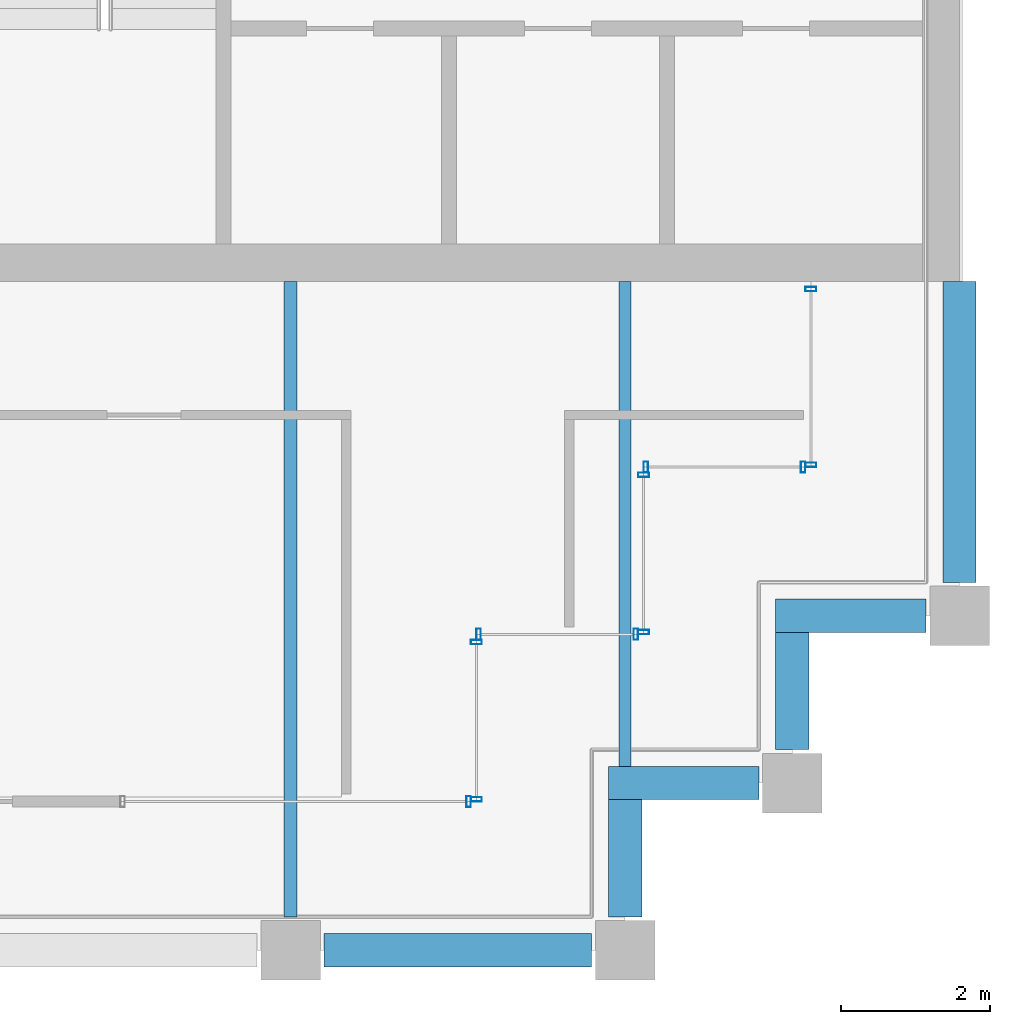
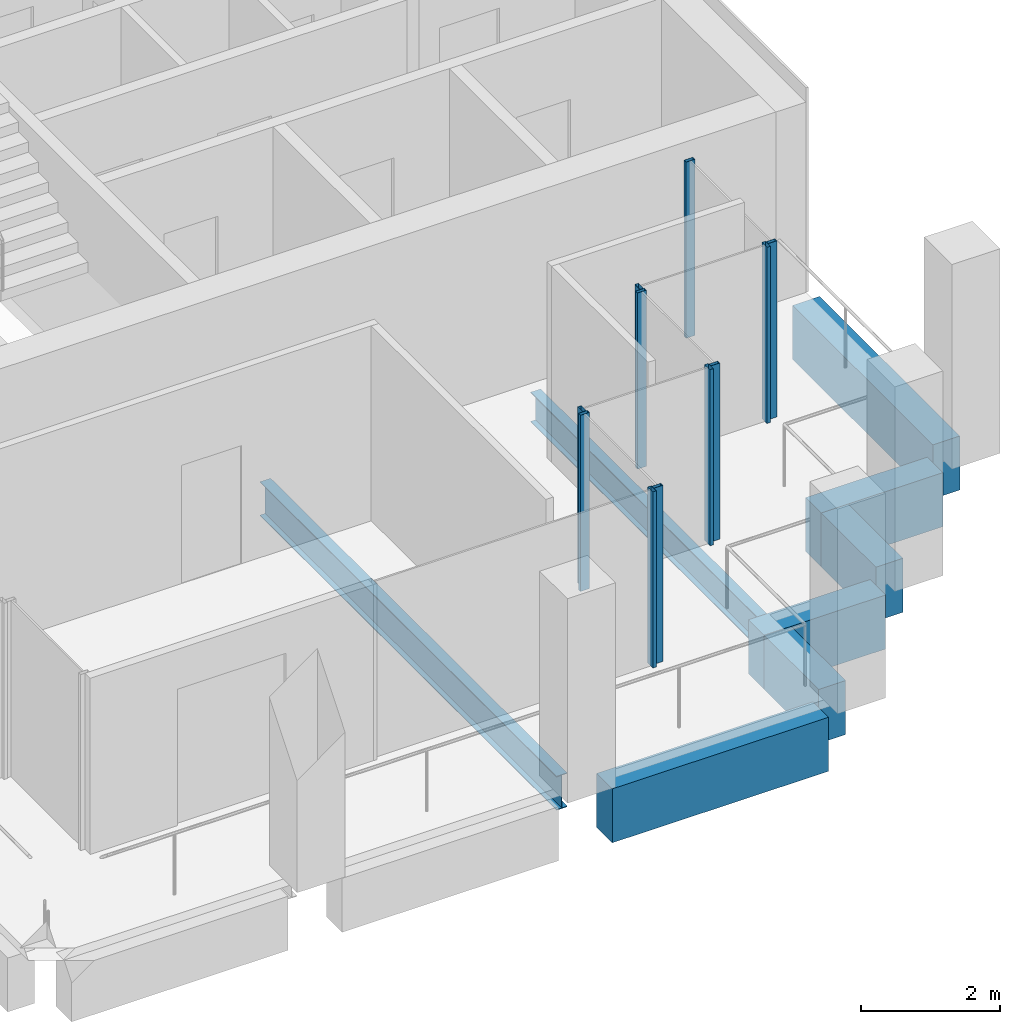
# One storey, part 31 of 40: 11 members, 8 beams, 6 elements without a shape of their own.
"""IFC4 building model written with IfcOpenShell, lengths in metres."""

import ifcopenshell
import ifcopenshell.guid

model = None  # the IFC model being written
_history = None  # IfcOwnerHistory: only IFC2X3 demands one
_inside = {}  # id of a spatial element -> (the spatial element, [elements in it])
_under = {}  # id of a project, library or spatial element -> (it, [spatial elements below it])
_declared = {}  # id of a project -> (the project, [libraries it declares])
_typed = {}  # id of a type object -> (the type object, [elements of that type])
_made_of = {}  # id of a material, layer set ... -> (it, [elements and type objects made of it])


def new_model(schema):
    """Start an empty IFC model of exactly this schema.

    Asked for "IFC4X3", IfcOpenShell would pick the latest addendum, in which some entities
    have other attributes; the version numbers below select the first issue.
    IFC2X3 requires an IfcOwnerHistory on every rooted entity: one is made here for all.
    """
    global model, _history
    if schema == "IFC4X3":
        model = ifcopenshell.file(schema_version=(4, 3, 0, 0))
    else:
        model = ifcopenshell.file(schema=schema)
    _inside.clear()
    _under.clear()
    _declared.clear()
    _typed.clear()
    _made_of.clear()
    _history = None
    if model.schema == "IFC2X3":
        org = make("IfcOrganization", Name="unknown")
        user = make(
            "IfcPersonAndOrganization",
            ThePerson=make("IfcPerson", FamilyName="unknown"),
            TheOrganization=org,
        )
        app = make(
            "IfcApplication",
            ApplicationDeveloper=org,
            Version="unknown",
            ApplicationFullName="unknown",
            ApplicationIdentifier="unknown",
        )
        _history = make(
            "IfcOwnerHistory",
            OwningUser=user,
            OwningApplication=app,
            ChangeAction="ADDED",
            CreationDate=0,
        )
    return model


def make(cls, **values):
    """One entity of the class cls with the attributes given. An attribute that is None is left unset."""
    return model.create_entity(
        cls, **{name: value for name, value in values.items() if value is not None}
    )


def rooted(cls, **values):
    """An entity with a GlobalId (a new one), such as an element, a storey or a relation."""
    return make(cls, GlobalId=ifcopenshell.guid.new(), OwnerHistory=_history, **values)


def si_unit(unit_type, name, prefix=None):
    """IfcSIUnit, for example si_unit("LENGTHUNIT", "METRE", prefix="MILLI")."""
    return make("IfcSIUnit", UnitType=unit_type, Prefix=prefix, Name=name)


def assignment(units):
    """IfcUnitAssignment: the units of a project."""
    return None if units is None else make("IfcUnitAssignment", Units=units)


def point(xyz):
    """IfcCartesianPoint."""
    return None if xyz is None else make("IfcCartesianPoint", Coordinates=xyz)


def direction(xyz):
    """IfcDirection."""
    return None if xyz is None else make("IfcDirection", DirectionRatios=xyz)


def frame(location, z_axis=None, x_axis=None):
    """IfcAxis2Placement3D, a coordinate frame: its origin and axes. An axis left out is left unset."""
    return make(
        "IfcAxis2Placement3D",
        Location=point(location),
        Axis=direction(z_axis),
        RefDirection=direction(x_axis),
    )


def frame_2d(location, x_axis=None):
    """IfcAxis2Placement2D, a coordinate frame in the plane: its origin and x axis."""
    return make(
        "IfcAxis2Placement2D", Location=point(location), RefDirection=direction(x_axis)
    )


def origin():
    """The frame at (0, 0, 0) with its axes left unset."""
    return frame((0.0, 0.0, 0.0))


def origin_2d():
    """The frame at (0, 0) in the plane with its x axis left unset."""
    return frame_2d((0.0, 0.0))


def place(relative_to, where):
    """IfcLocalPlacement: puts the frame where relative to a parent placement (None: the world)."""
    return make(
        "IfcLocalPlacement", PlacementRelTo=relative_to, RelativePlacement=where
    )


def context(
    kind, dimensions, precision=None, world=None, true_north=None, identifier=None
):
    """IfcGeometricRepresentationContext, for example the 3D "Model" context."""
    return make(
        "IfcGeometricRepresentationContext",
        ContextIdentifier=identifier,
        ContextType=kind,
        CoordinateSpaceDimension=dimensions,
        Precision=precision,
        WorldCoordinateSystem=world,
        TrueNorth=true_north,
    )


def subcontext(parent, identifier, kind, view, scale=None):
    """IfcGeometricRepresentationSubContext, for example "Body" below "Model"."""
    return make(
        "IfcGeometricRepresentationSubContext",
        ContextIdentifier=identifier,
        ContextType=kind,
        ParentContext=parent,
        TargetScale=scale,
        TargetView=view,
    )


def project(units=None, contexts=None):
    """IfcProject with its units and contexts."""
    return rooted(
        "IfcProject",
        Name="project",
        RepresentationContexts=contexts,
        UnitsInContext=assignment(units),
    )


def spatial(cls, under=None, at=None, **own):
    """A site, building, storey or space (cls), placed at a placement, below another one or the project."""
    s = rooted(cls, ObjectPlacement=at, **own)
    if under is not None:
        _under.setdefault(under.id(), (under, []))[1].append(s)
    return s


def profile(cls, at=None, kind="AREA", **sizes):
    """A parametric profile (cls). Its sizes go by their IFC names, for example OverallWidth=200.0."""
    return make(cls, ProfileType=kind, Position=at, **sizes)


def rectangle(**sizes):
    """IfcRectangleProfileDef."""
    return profile("IfcRectangleProfileDef", **sizes)


def hollow_rectangle(**sizes):
    """IfcRectangleHollowProfileDef."""
    return profile("IfcRectangleHollowProfileDef", **sizes)


def i_section(**sizes):
    """IfcIShapeProfileDef."""
    return profile("IfcIShapeProfileDef", **sizes)


def extrude(swept, where, along, depth):
    """IfcExtrudedAreaSolid: the profile swept, set in the frame where, extruded along a direction by depth."""
    return make(
        "IfcExtrudedAreaSolid",
        SweptArea=swept,
        Position=where,
        ExtrudedDirection=direction(along),
        Depth=depth,
    )


def shape(context_of_items, identifier, shape_type, items):
    """IfcShapeRepresentation: the items that make up one representation, for example the "Body"."""
    return make(
        "IfcShapeRepresentation",
        ContextOfItems=context_of_items,
        RepresentationIdentifier=identifier,
        RepresentationType=shape_type,
        Items=items,
    )


def material(Name=None, Category=None):
    """IfcMaterial."""
    return make("IfcMaterial", Name=Name, Category=Category)


def material_profile(
    of_material, cross_section, Name=None, Category=None, Priority=None
):
    """IfcMaterialProfile: a cross section and its material."""
    return make(
        "IfcMaterialProfile",
        Name=Name,
        Material=of_material,
        Profile=cross_section,
        Priority=Priority,
        Category=Category,
    )


def profile_set(profiles, Name=None, composite=None):
    """IfcMaterialProfileSet."""
    return make(
        "IfcMaterialProfileSet",
        Name=Name,
        MaterialProfiles=profiles,
        CompositeProfile=composite,
    )


def made_of(thing, what):
    """Note that an element or type object is made of a material, layer set ...; save() writes the relation."""
    if what is not None:
        _made_of.setdefault(what.id(), (what, []))[1].append(thing)
    return thing


def type_object(cls, material=None, **own):
    """A type object (cls), such as IfcWallType, which elements share."""
    return made_of(rooted(cls, **own), material)


def element(
    cls,
    number,
    at=None,
    inside=None,
    cuts=None,
    type_object=None,
    material=None,
    context=None,
    identifier="Body",
    shape_type=None,
    held_by="IfcProductDefinitionShape",
    body=None,
    shapes=None,
    **own,
):
    """One element of the class cls, such as IfcWall. Its Tag is "e" and its number.

    at: its placement. inside: the storey or other place that contains it. cuts: it is an
    opening in that element (IfcRelVoidsElement). A single representation is given by context,
    identifier, shape_type and body (its items); several are given by shapes. held_by: the class
    of the entity that holds the representations. save() writes the other relations.
    """
    e = rooted(cls, Tag="e%d" % number, ObjectPlacement=at, **own)
    if body is not None:
        shapes = [shape(context, identifier, shape_type, body)]
    if shapes is not None:
        e.Representation = make(held_by, Representations=shapes)
    if inside is not None:
        _inside.setdefault(inside.id(), (inside, []))[1].append(e)
    if cuts is not None:
        rooted(
            "IfcRelVoidsElement", RelatingBuildingElement=cuts, RelatedOpeningElement=e
        )
    if type_object is not None:
        _typed.setdefault(type_object.id(), (type_object, []))[1].append(e)
    return made_of(e, material)


def aggregate(whole, parts):
    """IfcRelAggregates: a whole, such as a stair, and the parts it consists of."""
    return rooted("IfcRelAggregates", RelatingObject=whole, RelatedObjects=parts)


def save(model, path):
    """Write the relations noted so far, then the file.

    IfcRelAggregates (storeys below a building ...), IfcRelContainedInSpatialStructure (elements
    in a storey), IfcRelDefinesByType, IfcRelAssociatesMaterial and IfcRelDeclares: one each for
    every whole, place, type object, material and project.
    """
    for whole, parts in _under.values():
        aggregate(whole, parts)
    for where, things in _inside.values():
        rooted(
            "IfcRelContainedInSpatialStructure",
            RelatedElements=things,
            RelatingStructure=where,
        )
    for kind, things in _typed.values():
        rooted("IfcRelDefinesByType", RelatedObjects=things, RelatingType=kind)
    for what, things in _made_of.values():
        rooted("IfcRelAssociatesMaterial", RelatedObjects=things, RelatingMaterial=what)
    for by, libraries in _declared.values():
        rooted("IfcRelDeclares", RelatingContext=by, RelatedDefinitions=libraries)
    model.write(path)


model = new_model("IFC4")

# Units and contexts
model_context = context("Model", 3, precision=1e-05, world=origin(), true_north=direction((0.0, 1.0)))
body_context = subcontext(model_context, "Body", "Model", "MODEL_VIEW")
ifc_project = project(units=[si_unit("LENGTHUNIT", "METRE"), si_unit("AREAUNIT", "SQUARE_METRE"), si_unit("VOLUMEUNIT", "CUBIC_METRE"), si_unit("PLANEANGLEUNIT", "RADIAN"), si_unit("MASSUNIT", "GRAM", prefix="KILO")], contexts=[model_context])

# Site, building, storey
site_placement = place(None, origin())
site = spatial("IfcSite", under=ifc_project, at=site_placement, CompositionType="ELEMENT")
building_placement = place(site_placement, origin())
building = spatial("IfcBuilding", under=site, at=building_placement, Name="Altepetl Exchange Towers", CompositionType="ELEMENT")
storey_placement = place(building_placement, frame((0.0, 0.0, 195.60009765625)))
storey = spatial("IfcBuildingStorey", under=building, at=storey_placement, Name="L49", CompositionType="ELEMENT", Elevation=195.60009765625)

# Beams
ifc_material_1 = material(Name="Steel S355", Category="steel")
ifc_material_profile_1 = material_profile(ifc_material_1, i_section(OverallWidth=0.166015625, OverallDepth=0.529052734375, WebThickness=0.009765625, FlangeThickness=0.013671875, at=origin_2d()), Name="W21X50")
ifc_profile_set_1 = profile_set([ifc_material_profile_1], Name="Steel S355")
beam_type_1 = type_object("IfcBeamType", Name="Floor beam W21X50", PredefinedType="BEAM", material=ifc_profile_set_1)
beam_1_placement = place(storey_placement, frame((112.5, 29.47509765625, -0.41455078125), z_axis=(0.0, 1.0, 0.0), x_axis=(-1.0, 0.0, 0.0)))
element("IfcBeam", 1, at=beam_1_placement, inside=storey, type_object=beam_type_1, Name="bm:B:L49:003", PredefinedType="BEAM", context=body_context, shape_type="SweptSolid", body=[
    extrude(i_section(OverallWidth=0.166015625, OverallDepth=0.529052734375, WebThickness=0.009765625, FlangeThickness=0.013671875, at=origin_2d()), origin(), (0.0, 0.0, 1.0), 6.52490234375),
])
ifc_material_profile_2 = material_profile(ifc_material_1, i_section(OverallWidth=0.177978515625, OverallDepth=0.59912109375, WebThickness=0.010009765625, FlangeThickness=0.0126953125, at=origin_2d()), Name="W24X55")
ifc_profile_set_2 = profile_set([ifc_material_profile_2], Name="Steel S355")
beam_type_2 = type_object("IfcBeamType", Name="Floor beam W24X55", PredefinedType="BEAM", material=ifc_profile_set_2)
beam_2_placement = place(storey_placement, frame((108.0, 27.449951171875, -0.44970703125), z_axis=(0.0, 1.0, 0.0), x_axis=(-1.0, 0.0, 0.0)))
element("IfcBeam", 2, at=beam_2_placement, inside=storey, type_object=beam_type_2, Name="bm:B:L49:002", PredefinedType="BEAM", context=body_context, shape_type="SweptSolid", body=[
    extrude(i_section(OverallWidth=0.177978515625, OverallDepth=0.59912109375, WebThickness=0.010009765625, FlangeThickness=0.0126953125, at=origin_2d()), origin(), (0.0, 0.0, 1.0), 8.550048828125),
])

# Curtain wall, member
ifc_material_2 = material(Name="Aluminium 6063-T6 glazing", Category="aluminium")
curtain_wall_type = type_object("IfcCurtainWallType", Name="Loggia glazing system", PredefinedType="NOTDEFINED", material=ifc_material_2)
curtain_wall_1_placement = place(storey_placement, origin())
curtain_wall_1 = element("IfcCurtainWall", 3, at=curtain_wall_1_placement, inside=storey, type_object=curtain_wall_type, Name="CW1 run", PredefinedType="NOTDEFINED")
ifc_material_3 = material(Name="Aluminium 6063-T6", Category="aluminium")
ifc_material_profile_3 = material_profile(ifc_material_3, hollow_rectangle(XDim=0.06005859375, YDim=0.14990234375, WallThickness=0.0029296875, at=origin_2d()), Name="Mullion 60x150 aluminium")
ifc_profile_set_3 = profile_set([ifc_material_profile_3], Name="Aluminium 6063-T6")
member_type = type_object("IfcMemberType", Name="Mullion 60x150 aluminium", PredefinedType="MULLION", material=ifc_profile_set_3)
member_1_placement = place(storey_placement, frame((110.39501953125, 29.0, 0.0)))
member_1 = element("IfcMember", 4, at=member_1_placement, type_object=member_type, Name="MU1 mullion", PredefinedType="MULLION", context=body_context, shape_type="SweptSolid", body=[
    extrude(hollow_rectangle(XDim=0.06005859375, YDim=0.14990234375, WallThickness=0.0029296875, at=origin_2d()), origin(), (0.0, 0.0, 1.0), 3.099853515625),
])
aggregate(curtain_wall_1, [member_1])

# Curtain wall, members
curtain_wall_2_placement = place(storey_placement, origin())
curtain_wall_2 = element("IfcCurtainWall", 5, at=curtain_wall_2_placement, inside=storey, type_object=curtain_wall_type, Name="CW1 run", PredefinedType="NOTDEFINED")
member_2_placement = place(storey_placement, frame((110.5, 29.030029296875, 0.0), z_axis=(0.0, 0.0, 1.0), x_axis=(0.0, 1.0, 0.0)))
member_2 = element("IfcMember", 6, at=member_2_placement, type_object=member_type, Name="MU1 mullion", PredefinedType="MULLION", context=body_context, shape_type="SweptSolid", body=[
    extrude(hollow_rectangle(XDim=0.06005859375, YDim=0.14990234375, WallThickness=0.0029296875, at=origin_2d()), origin(), (0.0, 0.0, 1.0), 3.099853515625),
])
member_3_placement = place(storey_placement, frame((110.5, 31.14501953125, 0.0), z_axis=(0.0, 0.0, 1.0), x_axis=(0.0, 1.0, 0.0)))
member_3 = element("IfcMember", 7, at=member_3_placement, type_object=member_type, Name="MU1 mullion", PredefinedType="MULLION", context=body_context, shape_type="SweptSolid", body=[
    extrude(hollow_rectangle(XDim=0.06005859375, YDim=0.14990234375, WallThickness=0.0029296875, at=origin_2d()), origin(), (0.0, 0.0, 1.0), 3.099853515625),
])
aggregate(curtain_wall_2, [member_2, member_3])

curtain_wall_3_placement = place(storey_placement, origin())
curtain_wall_3 = element("IfcCurtainWall", 8, at=curtain_wall_3_placement, inside=storey, type_object=curtain_wall_type, Name="CW1 run", PredefinedType="NOTDEFINED")
member_4_placement = place(storey_placement, frame((110.530029296875, 31.25, 0.0)))
member_4 = element("IfcMember", 9, at=member_4_placement, type_object=member_type, Name="MU1 mullion", PredefinedType="MULLION", context=body_context, shape_type="SweptSolid", body=[
    extrude(hollow_rectangle(XDim=0.06005859375, YDim=0.14990234375, WallThickness=0.0029296875, at=origin_2d()), origin(), (0.0, 0.0, 1.0), 3.099853515625),
])
member_5_placement = place(storey_placement, frame((112.64501953125, 31.25, 0.0)))
member_5 = element("IfcMember", 10, at=member_5_placement, type_object=member_type, Name="MU1 mullion", PredefinedType="MULLION", context=body_context, shape_type="SweptSolid", body=[
    extrude(hollow_rectangle(XDim=0.06005859375, YDim=0.14990234375, WallThickness=0.0029296875, at=origin_2d()), origin(), (0.0, 0.0, 1.0), 3.099853515625),
])
aggregate(curtain_wall_3, [member_4, member_5])

curtain_wall_4_placement = place(storey_placement, origin())
curtain_wall_4 = element("IfcCurtainWall", 11, at=curtain_wall_4_placement, inside=storey, type_object=curtain_wall_type, Name="CW1 run", PredefinedType="NOTDEFINED")
member_6_placement = place(storey_placement, frame((112.75, 31.280029296875, 0.0), z_axis=(0.0, 0.0, 1.0), x_axis=(0.0, 1.0, 0.0)))
member_6 = element("IfcMember", 12, at=member_6_placement, type_object=member_type, Name="MU1 mullion", PredefinedType="MULLION", context=body_context, shape_type="SweptSolid", body=[
    extrude(hollow_rectangle(XDim=0.06005859375, YDim=0.14990234375, WallThickness=0.0029296875, at=origin_2d()), origin(), (0.0, 0.0, 1.0), 3.099853515625),
])
member_7_placement = place(storey_placement, frame((112.75, 33.39501953125, 0.0), z_axis=(0.0, 0.0, 1.0), x_axis=(0.0, 1.0, 0.0)))
member_7 = element("IfcMember", 13, at=member_7_placement, type_object=member_type, Name="MU1 mullion", PredefinedType="MULLION", context=body_context, shape_type="SweptSolid", body=[
    extrude(hollow_rectangle(XDim=0.06005859375, YDim=0.14990234375, WallThickness=0.0029296875, at=origin_2d()), origin(), (0.0, 0.0, 1.0), 3.099853515625),
])
aggregate(curtain_wall_4, [member_6, member_7])

curtain_wall_5_placement = place(storey_placement, origin())
curtain_wall_5 = element("IfcCurtainWall", 14, at=curtain_wall_5_placement, inside=storey, type_object=curtain_wall_type, Name="CW1 run", PredefinedType="NOTDEFINED")
member_8_placement = place(storey_placement, frame((112.780029296875, 33.5, 0.0)))
member_8 = element("IfcMember", 15, at=member_8_placement, type_object=member_type, Name="MU1 mullion", PredefinedType="MULLION", context=body_context, shape_type="SweptSolid", body=[
    extrude(hollow_rectangle(XDim=0.06005859375, YDim=0.14990234375, WallThickness=0.0029296875, at=origin_2d()), origin(), (0.0, 0.0, 1.0), 3.099853515625),
])
member_9_placement = place(storey_placement, frame((114.89501953125, 33.5, 0.0)))
member_9 = element("IfcMember", 16, at=member_9_placement, type_object=member_type, Name="MU1 mullion", PredefinedType="MULLION", context=body_context, shape_type="SweptSolid", body=[
    extrude(hollow_rectangle(XDim=0.06005859375, YDim=0.14990234375, WallThickness=0.0029296875, at=origin_2d()), origin(), (0.0, 0.0, 1.0), 3.099853515625),
])
aggregate(curtain_wall_5, [member_8, member_9])

curtain_wall_6_placement = place(storey_placement, origin())
curtain_wall_6 = element("IfcCurtainWall", 17, at=curtain_wall_6_placement, inside=storey, type_object=curtain_wall_type, Name="CW1 run", PredefinedType="NOTDEFINED")
member_10_placement = place(storey_placement, frame((115.0, 33.530029296875, 0.0), z_axis=(0.0, 0.0, 1.0), x_axis=(0.0, 1.0, 0.0)))
member_10 = element("IfcMember", 18, at=member_10_placement, type_object=member_type, Name="MU1 mullion", PredefinedType="MULLION", context=body_context, shape_type="SweptSolid", body=[
    extrude(hollow_rectangle(XDim=0.06005859375, YDim=0.14990234375, WallThickness=0.0029296875, at=origin_2d()), origin(), (0.0, 0.0, 1.0), 3.099853515625),
])
member_11_placement = place(storey_placement, frame((115.0, 35.89501953125, 0.0), z_axis=(0.0, 0.0, 1.0), x_axis=(0.0, 1.0, 0.0)))
member_11 = element("IfcMember", 19, at=member_11_placement, type_object=member_type, Name="MU1 mullion", PredefinedType="MULLION", context=body_context, shape_type="SweptSolid", body=[
    extrude(hollow_rectangle(XDim=0.06005859375, YDim=0.14990234375, WallThickness=0.0029296875, at=origin_2d()), origin(), (0.0, 0.0, 1.0), 3.099853515625),
])
aggregate(curtain_wall_6, [member_10, member_11])

# Beams
ifc_material_4 = material(Name="Concrete C50/60 precast with cantera blanca facing", Category="concrete")
ifc_material_profile_4 = material_profile(ifc_material_4, rectangle(XDim=0.449951171875, YDim=0.949951171875, at=origin_2d()), Name="450 x 950")
ifc_profile_set_4 = profile_set([ifc_material_profile_4], Name="Concrete C50/60 precast with cantera blanca facing")
beam_type_3 = type_object("IfcBeamType", Name="Spandrel beam 450x950 cantera blanca", PredefinedType="SPANDREL", material=ifc_profile_set_4)
beam_3_placement = place(storey_placement, frame((117.0, 31.949951171875, -0.625), z_axis=(0.0, 1.0, 0.0), x_axis=(-1.0, 0.0, 0.0)))
element("IfcBeam", 20, at=beam_3_placement, inside=storey, type_object=beam_type_3, Name="sp:B:L49:007", PredefinedType="SPANDREL", context=body_context, shape_type="SweptSolid", body=[
    extrude(rectangle(XDim=0.449951171875, YDim=0.949951171875, at=origin_2d()), origin(), (0.0, 0.0, 1.0), 4.050048828125),
])
ifc_material_5 = material(Name="Concrete C50/60 precast with tezontle facing", Category="concrete")
ifc_material_profile_5 = material_profile(ifc_material_5, rectangle(XDim=0.449951171875, YDim=0.949951171875, at=origin_2d()), Name="450 x 950")
ifc_profile_set_5 = profile_set([ifc_material_profile_5], Name="Concrete C50/60 precast with tezontle facing")
beam_type_4 = type_object("IfcBeamType", Name="Spandrel beam 450x950 tezontle", PredefinedType="SPANDREL", material=ifc_profile_set_5)
beam_4_placement = place(storey_placement, frame((108.449951171875, 27.0, -0.625), z_axis=(1.0, 0.0, 0.0), x_axis=(0.0, 1.0, 0.0)))
element("IfcBeam", 21, at=beam_4_placement, inside=storey, type_object=beam_type_4, Name="sp:B:L49:002", PredefinedType="SPANDREL", context=body_context, shape_type="SweptSolid", body=[
    extrude(rectangle(XDim=0.449951171875, YDim=0.949951171875, at=origin_2d()), origin(), (0.0, 0.0, 1.0), 3.60009765625),
])
beam_5_placement = place(storey_placement, frame((112.5, 27.449951171875, -0.625), z_axis=(0.0, 1.0, 0.0), x_axis=(-1.0, 0.0, 0.0)))
element("IfcBeam", 22, at=beam_5_placement, inside=storey, type_object=beam_type_4, Name="sp:B:L49:003", PredefinedType="SPANDREL", context=body_context, shape_type="SweptSolid", body=[
    extrude(rectangle(XDim=0.449951171875, YDim=0.949951171875, at=origin_2d()), origin(), (0.0, 0.0, 1.0), 1.574951171875),
])
beam_6_placement = place(storey_placement, frame((112.27490234375, 29.25, -0.625), z_axis=(1.0, 0.0, 0.0), x_axis=(0.0, 1.0, 0.0)))
element("IfcBeam", 23, at=beam_6_placement, inside=storey, type_object=beam_type_4, Name="sp:B:L49:004", PredefinedType="SPANDREL", context=body_context, shape_type="SweptSolid", body=[
    extrude(rectangle(XDim=0.449951171875, YDim=0.949951171875, at=origin_2d()), origin(), (0.0, 0.0, 1.0), 2.025146484375),
])
beam_7_placement = place(storey_placement, frame((114.75, 29.699951171875, -0.625), z_axis=(0.0, 1.0, 0.0), x_axis=(-1.0, 0.0, 0.0)))
element("IfcBeam", 24, at=beam_7_placement, inside=storey, type_object=beam_type_4, Name="sp:B:L49:005", PredefinedType="SPANDREL", context=body_context, shape_type="SweptSolid", body=[
    extrude(rectangle(XDim=0.449951171875, YDim=0.949951171875, at=origin_2d()), origin(), (0.0, 0.0, 1.0), 1.574951171875),
])
beam_8_placement = place(storey_placement, frame((114.52490234375, 31.5, -0.625), z_axis=(1.0, 0.0, 0.0), x_axis=(0.0, 1.0, 0.0)))
element("IfcBeam", 25, at=beam_8_placement, inside=storey, type_object=beam_type_4, Name="sp:B:L49:006", PredefinedType="SPANDREL", context=body_context, shape_type="SweptSolid", body=[
    extrude(rectangle(XDim=0.449951171875, YDim=0.949951171875, at=origin_2d()), origin(), (0.0, 0.0, 1.0), 2.025146484375),
])

save(model, "model.ifc")
